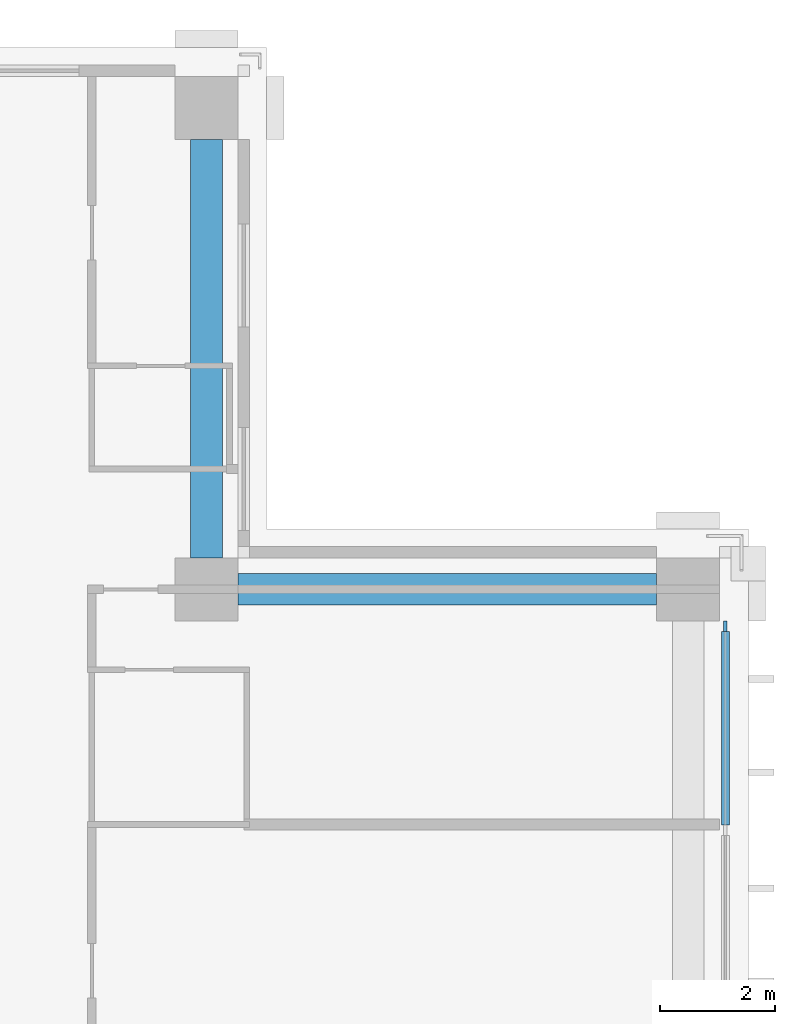
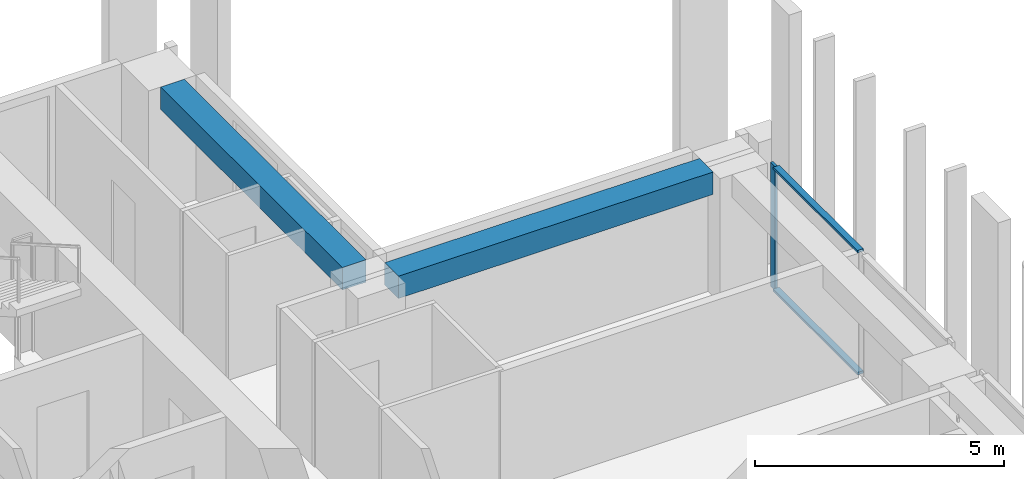
# One storey, part 7 of 16: 3 members, 2 beams, 1 element without a shape of its own.
"""IFC4 building model written with IfcOpenShell, lengths in metres."""

from ifc_helpers import new_model, si_unit, direction, frame, origin, origin_2d, place, context, subcontext, project, spatial, rectangle, extrude, material, material_profile, profile_set, type_object, element, aggregate, save


model = new_model("IFC4")

# Units and contexts
model_context = context("Model", 3, precision=1e-05, world=origin(), true_north=direction((0.0, 1.0)))
body_context = subcontext(model_context, "Body", "Model", "MODEL_VIEW")
ifc_project = project(units=[si_unit("LENGTHUNIT", "METRE"), si_unit("AREAUNIT", "SQUARE_METRE"), si_unit("VOLUMEUNIT", "CUBIC_METRE"), si_unit("PLANEANGLEUNIT", "RADIAN"), si_unit("MASSUNIT", "GRAM", prefix="KILO")], contexts=[model_context])

# Site, building, storey
site_placement = place(None, origin())
site = spatial("IfcSite", under=ifc_project, at=site_placement, CompositionType="ELEMENT")
building_placement = place(site_placement, origin())
building = spatial("IfcBuilding", under=site, at=building_placement, Name="Vermilion Ogive Tower", CompositionType="ELEMENT")
storey_placement = place(building_placement, frame((0.0, 0.0, 150.35009765625)))
storey = spatial("IfcBuildingStorey", under=building, at=storey_placement, Name="L38", CompositionType="ELEMENT", Elevation=150.35009765625)

# Curtain wall, members
ifc_material_1 = material(Name="Low-iron laminated glazing in aluminium frame", Category="aluminium")
curtain_wall_type = type_object("IfcCurtainWallType", Name="Curtain wall CW7", PredefinedType="NOTDEFINED", material=ifc_material_1)
curtain_wall_placement = place(storey_placement, origin())
curtain_wall = element("IfcCurtainWall", 1, at=curtain_wall_placement, inside=storey, type_object=curtain_wall_type, Name="Glazed skin E3", PredefinedType="NOTDEFINED")
ifc_material_2 = material(Name="Aluminium mullion", Category="aluminium")
ifc_material_profile_1 = material_profile(ifc_material_2, rectangle(XDim=0.06005859375, YDim=0.179931640625, at=origin_2d()), Name="AL 60x180")
ifc_profile_set_1 = profile_set([ifc_material_profile_1], Name="Aluminium mullion")
member_type_1 = type_object("IfcMemberType", Name="CW7 mullion 60x180", PredefinedType="MULLION", material=ifc_profile_set_1)
member_1_placement = place(storey_placement, frame((21.64990234375, 11.9599609375, 0.0), z_axis=(0.0, 0.0, 1.0), x_axis=(-1.0, 0.0, 0.0)))
member_1 = element("IfcMember", 2, at=member_1_placement, type_object=member_type_1, Name="CW7-E3 mullion 3", PredefinedType="MULLION", context=body_context, shape_type="SweptSolid", body=[
    extrude(rectangle(XDim=0.06005859375, YDim=0.179931640625, at=origin_2d()), origin(), (0.0, 0.0, 1.0), 3.0498046875),
])
ifc_material_3 = material(Name="Aluminium transom", Category="aluminium")
ifc_material_profile_2 = material_profile(ifc_material_3, rectangle(XDim=0.139892578125, YDim=0.06005859375, at=origin_2d()), Name="AL 60x140")
ifc_profile_set_2 = profile_set([ifc_material_profile_2], Name="Aluminium transom")
member_type_2 = type_object("IfcMemberType", Name="CW7 transom 60x140", PredefinedType="USERDEFINED", material=ifc_profile_set_2)
member_2_placement = place(storey_placement, frame((21.64990234375, 8.489990234375, 0.02978515625), z_axis=(0.0, 1.0, 0.0), x_axis=(-1.0, 0.0, 0.0)))
member_2 = element("IfcMember", 3, at=member_2_placement, type_object=member_type_2, Name="CW7-E3 transom 2.1", ObjectType="TRANSOM", PredefinedType="USERDEFINED", context=body_context, shape_type="SweptSolid", body=[
    extrude(rectangle(XDim=0.139892578125, YDim=0.06005859375, at=origin_2d()), origin(), (0.0, 0.0, 1.0), 3.380126953125),
])
member_3_placement = place(storey_placement, frame((21.64990234375, 8.489990234375, 3.02001953125), z_axis=(0.0, 1.0, 0.0), x_axis=(-1.0, 0.0, 0.0)))
member_3 = element("IfcMember", 4, at=member_3_placement, type_object=member_type_2, Name="CW7-E3 transom 2.2", ObjectType="TRANSOM", PredefinedType="USERDEFINED", context=body_context, shape_type="SweptSolid", body=[
    extrude(rectangle(XDim=0.139892578125, YDim=0.06005859375, at=origin_2d()), origin(), (0.0, 0.0, 1.0), 3.380126953125),
])
aggregate(curtain_wall, [member_1, member_2, member_3])

# Beams
ifc_material_4 = material(Name="Concrete B45", Category="concrete")
ifc_material_profile_3 = material_profile(ifc_material_4, rectangle(XDim=0.550048828125, YDim=0.550048828125, at=origin_2d()), Name="550 x 550")
ifc_profile_set_3 = profile_set([ifc_material_profile_3], Name="Concrete B45")
beam_type = type_object("IfcBeamType", Name="Edge beam 550 x 550 B45", PredefinedType="BEAM", material=ifc_profile_set_3)
for number, where, z_axis, x_axis, name in (
    (5, (20.449951171875, 12.60009765625, 2.77490234375), (-1.0, 0.0, 0.0), (0.0, -1.0, 0.0), "L38-EB-9"),
    (6, (12.60009765625, 13.14990234375, 2.77490234375), (0.0, 1.0, 0.0), (-1.0, 0.0, 0.0), "L38-EB-10"),
):
    element("IfcBeam", number, at=place(storey_placement, frame(where, z_axis=z_axis, x_axis=x_axis)), inside=storey, type_object=beam_type, Name=name, PredefinedType="BEAM", context=body_context, shape_type="SweptSolid", body=[
        extrude(rectangle(XDim=0.550048828125, YDim=0.550048828125, at=origin_2d()), origin(), (0.0, 0.0, 1.0), 7.300048828125),
    ])

save(model, "model.ifc")
